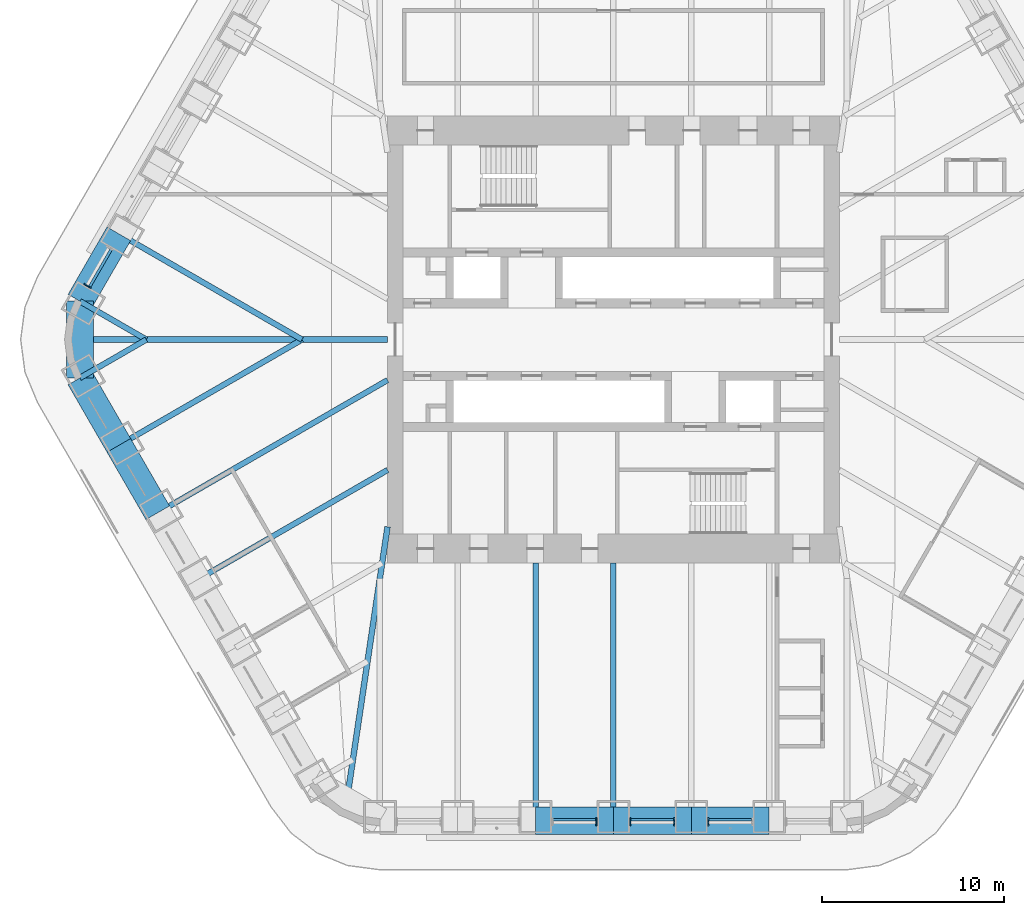
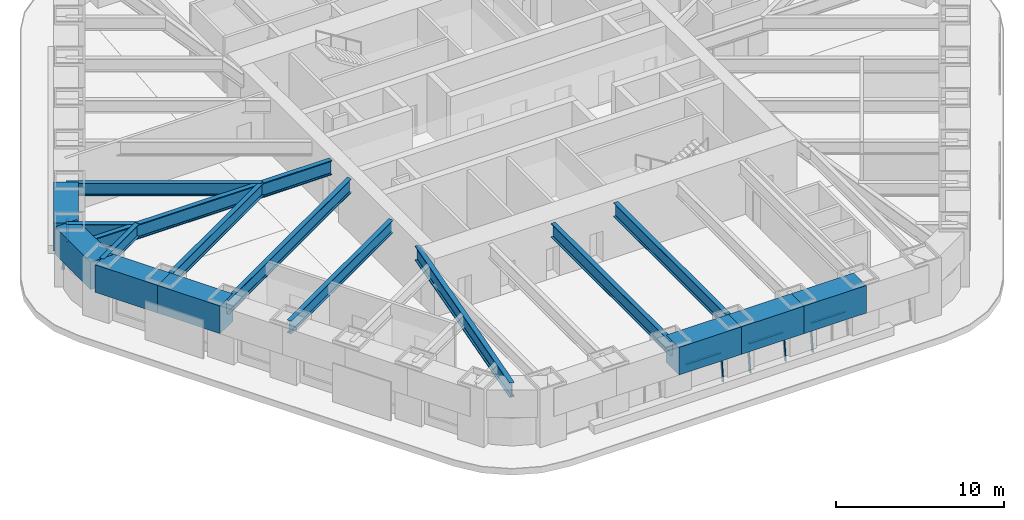
# One storey, part 3 of 18: 17 beams, 9 members, 4 elements without a shape of their own.
"""IFC4 building model written with IfcOpenShell, lengths in metres."""

from ifc_helpers import new_model, si_unit, direction, frame, origin, origin_2d, place, context, subcontext, project, spatial, rectangle, i_section, extrude, material, material_profile, profile_set, type_object, element, aggregate, save


model = new_model("IFC4")

# Units and contexts
model_context = context("Model", 3, precision=1e-05, world=origin(), true_north=direction((0.0, 1.0)))
body_context = subcontext(model_context, "Body", "Model", "MODEL_VIEW")
ifc_project = project(units=[si_unit("LENGTHUNIT", "METRE"), si_unit("AREAUNIT", "SQUARE_METRE"), si_unit("VOLUMEUNIT", "CUBIC_METRE"), si_unit("PLANEANGLEUNIT", "RADIAN"), si_unit("MASSUNIT", "GRAM", prefix="KILO")], contexts=[model_context])

# Site, building, storey
site_placement = place(None, origin())
site = spatial("IfcSite", under=ifc_project, at=site_placement, CompositionType="ELEMENT")
building_placement = place(site_placement, origin())
building = spatial("IfcBuilding", under=site, at=building_placement, Name="Tarfa Lantern Tower", CompositionType="ELEMENT")
storey_placement = place(building_placement, frame((0.0, 0.0, 311.5)))
storey = spatial("IfcBuildingStorey", under=building, at=storey_placement, Name="L70", CompositionType="ELEMENT", Elevation=311.5)

# Curtain wall, member
ifc_material_1 = material(Name="Aluminium framed curtain wall", Category="aluminium")
curtain_wall_type = type_object("IfcCurtainWallType", Name="CW4 CANTED GLAZING EXECUTIVE ZONE 2000", PredefinedType="USERDEFINED", material=ifc_material_1)
curtain_wall_1_placement = place(storey_placement, origin())
curtain_wall_1 = element("IfcCurtainWall", 1, at=curtain_wall_1_placement, inside=storey, type_object=curtain_wall_type, Name="CW4 NW L70", ObjectType="CURTAIN WALL", PredefinedType="USERDEFINED")
ifc_material_2 = material(Name="Aluminium mullion", Category="aluminium")
ifc_material_profile_1 = material_profile(ifc_material_2, rectangle(XDim=0.06494140625, YDim=0.199951171875, at=origin_2d()), Name="AL MULLION 65x200")
ifc_profile_set_1 = profile_set([ifc_material_profile_1], Name="Aluminium mullion")
member_type_1 = type_object("IfcMemberType", Name="CWM1 MULLION 65x200", PredefinedType="MULLION", material=ifc_profile_set_1)
member_1_placement = place(storey_placement, frame((-29.036376953125, 3.007568359375, 0.0), z_axis=(0.107439978116, -0.062017213975, 0.992275423596), x_axis=(0.499919672301, 0.866071776036, 0.0)))
member_1 = element("IfcMember", 2, at=member_1_placement, type_object=member_type_1, Name="CW4 mullion 2", PredefinedType="MULLION", context=body_context, shape_type="SweptSolid", body=[
    extrude(rectangle(XDim=0.06494140625, YDim=0.199951171875, at=origin_2d()), origin(), (0.0, 0.0, 1.0), 2.015625),
])

curtain_wall_2_placement = place(storey_placement, origin())
curtain_wall_2 = element("IfcCurtainWall", 3, at=curtain_wall_2_placement, inside=storey, type_object=curtain_wall_type, Name="CW4 S L70", ObjectType="CURTAIN WALL", PredefinedType="USERDEFINED")
member_2_placement = place(storey_placement, frame((-0.9326171875, -26.64990234375, 0.0), z_axis=(0.0, 0.124034734589, 0.992277876714), x_axis=(-1.0, 0.0, 0.0)))
member_2 = element("IfcMember", 4, at=member_2_placement, type_object=member_type_1, Name="CW4 mullion 2", PredefinedType="MULLION", context=body_context, shape_type="SweptSolid", body=[
    extrude(rectangle(XDim=0.06494140625, YDim=0.199951171875, at=origin_2d()), origin(), (0.0, 0.0, 1.0), 2.015625),
])

# Curtain wall, members
curtain_wall_3_placement = place(storey_placement, origin())
curtain_wall_3 = element("IfcCurtainWall", 5, at=curtain_wall_3_placement, inside=storey, type_object=curtain_wall_type, Name="CW4 S L70", ObjectType="CURTAIN WALL", PredefinedType="USERDEFINED")
member_3_placement = place(storey_placement, frame((0.9326171875, -26.64990234375, 0.0), z_axis=(0.0, 0.124034734589, 0.992277876714), x_axis=(-1.0, 0.0, 0.0)))
member_3 = element("IfcMember", 6, at=member_3_placement, type_object=member_type_1, Name="CW4 mullion 1", PredefinedType="MULLION", context=body_context, shape_type="SweptSolid", body=[
    extrude(rectangle(XDim=0.06494140625, YDim=0.199951171875, at=origin_2d()), origin(), (0.0, 0.0, 1.0), 2.015625),
])
member_4_placement = place(storey_placement, frame((3.349609375, -26.64990234375, 0.0), z_axis=(0.0, 0.124034734589, 0.992277876714), x_axis=(-1.0, 0.0, 0.0)))
member_4 = element("IfcMember", 7, at=member_4_placement, type_object=member_type_1, Name="CW4 mullion 2", PredefinedType="MULLION", context=body_context, shape_type="SweptSolid", body=[
    extrude(rectangle(XDim=0.06494140625, YDim=0.199951171875, at=origin_2d()), origin(), (0.0, 0.0, 1.0), 2.015625),
])

# Curtain wall, member
curtain_wall_4_placement = place(storey_placement, origin())
curtain_wall_4 = element("IfcCurtainWall", 8, at=curtain_wall_4_placement, inside=storey, type_object=curtain_wall_type, Name="CW4 S L70", ObjectType="CURTAIN WALL", PredefinedType="USERDEFINED")
member_5_placement = place(storey_placement, frame((5.214599609375, -26.64990234375, 0.0), z_axis=(0.0, 0.124034734589, 0.992277876714), x_axis=(-1.0, 0.0, 0.0)))
member_5 = element("IfcMember", 9, at=member_5_placement, type_object=member_type_1, Name="CW4 mullion 1", PredefinedType="MULLION", context=body_context, shape_type="SweptSolid", body=[
    extrude(rectangle(XDim=0.06494140625, YDim=0.199951171875, at=origin_2d()), origin(), (0.0, 0.0, 1.0), 2.015625),
])

# Member
ifc_material_3 = material(Name="Aluminium transom", Category="aluminium")
ifc_material_profile_2 = material_profile(ifc_material_3, rectangle(XDim=0.14990234375, YDim=0.06494140625, at=origin_2d()), Name="AL TRANSOM 150x65")
ifc_profile_set_2 = profile_set([ifc_material_profile_2], Name="Aluminium transom")
member_type_2 = type_object("IfcMemberType", Name="CWT1 TRANSOM 150x65", PredefinedType="USERDEFINED", material=ifc_profile_set_2)
member_6_placement = place(storey_placement, frame((-27.631103515625, 4.94970703125, 1.967529296875), z_axis=(-0.500012978079, -0.866017910757, 0.0), x_axis=(0.866017910757, -0.500012978079, 0.0)))
member_6 = element("IfcMember", 10, at=member_6_placement, type_object=member_type_2, Name="CW4 transom 1.2", ObjectType="TRANSOM", PredefinedType="USERDEFINED", context=body_context, shape_type="SweptSolid", body=[
    extrude(rectangle(XDim=0.14990234375, YDim=0.06494140625, at=origin_2d()), origin(), (0.0, 0.0, 1.0), 2.35205078125),
])

aggregate(curtain_wall_1, [member_1, member_6])

member_7_placement = place(storey_placement, frame((-3.31689453125, -26.404052734375, 1.967529296875), z_axis=(1.0, 0.0, 0.0), x_axis=(0.0, 1.0, 0.0)))
member_7 = element("IfcMember", 11, at=member_7_placement, type_object=member_type_2, Name="CW4 transom 1.2", ObjectType="TRANSOM", PredefinedType="USERDEFINED", context=body_context, shape_type="SweptSolid", body=[
    extrude(rectangle(XDim=0.14990234375, YDim=0.06494140625, at=origin_2d()), origin(), (0.0, 0.0, 1.0), 2.351806640625),
])

aggregate(curtain_wall_2, [member_2, member_7])

member_8_placement = place(storey_placement, frame((0.965087890625, -26.404052734375, 1.967529296875), z_axis=(1.0, 0.0, 0.0), x_axis=(0.0, 1.0, 0.0)))
member_8 = element("IfcMember", 12, at=member_8_placement, type_object=member_type_2, Name="CW4 transom 1.2", ObjectType="TRANSOM", PredefinedType="USERDEFINED", context=body_context, shape_type="SweptSolid", body=[
    extrude(rectangle(XDim=0.14990234375, YDim=0.06494140625, at=origin_2d()), origin(), (0.0, 0.0, 1.0), 2.351806640625),
])

aggregate(curtain_wall_3, [member_3, member_4, member_8])

member_9_placement = place(storey_placement, frame((5.2470703125, -26.404052734375, 1.967529296875), z_axis=(1.0, 0.0, 0.0), x_axis=(0.0, 1.0, 0.0)))
member_9 = element("IfcMember", 13, at=member_9_placement, type_object=member_type_2, Name="CW4 transom 1.2", ObjectType="TRANSOM", PredefinedType="USERDEFINED", context=body_context, shape_type="SweptSolid", body=[
    extrude(rectangle(XDim=0.14990234375, YDim=0.06494140625, at=origin_2d()), origin(), (0.0, 0.0, 1.0), 2.35205078125),
])

aggregate(curtain_wall_4, [member_5, member_9])

# Beams
ifc_material_4 = material(Name="Concrete C80/95", Category="concrete")
ifc_material_profile_3 = material_profile(ifc_material_4, rectangle(XDim=1.5, YDim=2.0, at=origin_2d()), Name="RC 1500x2000")
ifc_profile_set_3 = profile_set([ifc_material_profile_3], Name="Concrete C80/95")
beam_type_1 = type_object("IfcBeamType", Name="RB3 RC 1500x2000", PredefinedType="BEAM", material=ifc_profile_set_3)
beam_1_placement = place(storey_placement, frame((-27.205810546875, 5.818359375, 3.0), z_axis=(-0.499984039138, -0.866034618596, 0.0), x_axis=(0.866034618596, -0.499984039138, 0.0)))
element("IfcBeam", 14, at=beam_1_placement, inside=storey, type_object=beam_type_1, Name="Edge beam NW5", PredefinedType="BEAM", context=body_context, shape_type="SweptSolid", body=[
    extrude(rectangle(XDim=1.5, YDim=2.0, at=origin_2d()), origin(), (0.0, 0.0, 1.0), 4.281982421875),
])
beam_2_placement = place(storey_placement, frame((-29.3466796875, 2.110107421875, 3.0), z_axis=(0.0, -1.0, 0.0), x_axis=(1.0, 0.0, 0.0)))
element("IfcBeam", 15, at=beam_2_placement, inside=storey, type_object=beam_type_1, Name="Edge beam NW6", PredefinedType="BEAM", context=body_context, shape_type="SweptSolid", body=[
    extrude(rectangle(XDim=1.5, YDim=2.0, at=origin_2d()), origin(), (0.0, 0.0, 1.0), 4.22021484375),
])
for number, where, z_axis, x_axis, name in (
    (16, (-29.3466796875, -2.110107421875, 3.0), (0.499984039138, -0.866034618596, 0.0), (0.866034618596, 0.499984039138, 0.0), "Edge beam SW0"),
    (17, (-27.205810546875, -5.818359375, 3.0), (0.500026801138, -0.866009929587, 0.0), (0.866009929587, 0.500026801138, 0.0), "Edge beam SW1"),
    (18, (-4.281982421875, -26.469970703125, 3.0), (1.0, 0.0, 0.0), (0.0, 1.0, 0.0), "Edge beam S2"),
    (19, (0.0, -26.469970703125, 3.0), (1.0, 0.0, 0.0), (0.0, 1.0, 0.0), "Edge beam S3"),
    (20, (4.281982421875, -26.469970703125, 3.0), (1.0, 0.0, 0.0), (0.0, 1.0, 0.0), "Edge beam S4"),
):
    element("IfcBeam", number, at=place(storey_placement, frame(where, z_axis=z_axis, x_axis=x_axis)), inside=storey, type_object=beam_type_1, Name=name, PredefinedType="BEAM", context=body_context, shape_type="SweptSolid", body=[
        extrude(rectangle(XDim=1.5, YDim=2.0, at=origin_2d()), origin(), (0.0, 0.0, 1.0), 4.281982421875),
    ])
ifc_material_5 = material(Name="Steel S460M", Category="steel")
ifc_material_profile_4 = material_profile(ifc_material_5, i_section(OverallWidth=0.302001953125, OverallDepth=1.008056640625, WebThickness=0.02099609375, FlangeThickness=0.0400390625, FilletRadius=0.030029296875, at=origin_2d()), Name="UB1016x305x349")
ifc_profile_set_4 = profile_set([ifc_material_profile_4], Name="Steel S460M")
beam_type_2 = type_object("IfcBeamType", Name="UB1016x305x349", PredefinedType="BEAM", material=ifc_profile_set_4)
beam_3_placement = place(storey_placement, frame((-25.064697265625, -9.526611328125, 3.495849609375), z_axis=(0.866029591389, 0.499992746786, 0.0), x_axis=(-0.499992746786, 0.866029591389, 0.0)))
element("IfcBeam", 21, at=beam_3_placement, inside=storey, type_object=beam_type_2, Name="Floor beam SW2", PredefinedType="BEAM", context=body_context, shape_type="SweptSolid", body=[
    extrude(i_section(OverallWidth=0.302001953125, OverallDepth=1.008056640625, WebThickness=0.02099609375, FlangeThickness=0.0400390625, FilletRadius=0.030029296875, at=origin_2d()), origin(), (0.0, 0.0, 1.0), 14.594970703125),
])
for number, where, z_axis, x_axis, name in (
    (22, (-4.281982421875, -26.469970703125, 3.495849609375), (0.0, 1.0, 0.0), (-1.0, 0.0, 0.0), "Floor beam S2"),
    (23, (0.0, -26.469970703125, 3.495849609375), (0.0, 1.0, 0.0), (-1.0, 0.0, 0.0), "Floor beam S3"),
):
    element("IfcBeam", number, at=place(storey_placement, frame(where, z_axis=z_axis, x_axis=x_axis)), inside=storey, type_object=beam_type_2, Name=name, PredefinedType="BEAM", context=body_context, shape_type="SweptSolid", body=[
        extrude(i_section(OverallWidth=0.302001953125, OverallDepth=1.008056640625, WebThickness=0.02099609375, FlangeThickness=0.0400390625, FilletRadius=0.030029296875, at=origin_2d()), origin(), (0.0, 0.0, 1.0), 14.169921875),
    ])
ifc_material_profile_5 = material_profile(ifc_material_5, i_section(OverallWidth=0.314208984375, OverallDepth=1.055908203125, WebThickness=0.035888671875, FlangeThickness=0.06396484375, FilletRadius=0.030029296875, at=origin_2d()), Name="UB1016x305x584")
ifc_profile_set_5 = profile_set([ifc_material_profile_5], Name="Steel S460M")
beam_type_3 = type_object("IfcBeamType", Name="UB1016x305x584", PredefinedType="BEAM", material=ifc_profile_set_5)
beam_4_placement = place(storey_placement, frame((-12.425048828125, 0.0, 3.471923828125), z_axis=(-1.0, 0.0, 0.0), x_axis=(0.0, -1.0, 0.0)))
element("IfcBeam", 24, at=beam_4_placement, inside=storey, type_object=beam_type_3, Name="Hip girder W", PredefinedType="BEAM", context=body_context, shape_type="SweptSolid", body=[
    extrude(i_section(OverallWidth=0.314208984375, OverallDepth=1.055908203125, WebThickness=0.035888671875, FlangeThickness=0.06396484375, FilletRadius=0.030029296875, at=origin_2d()), origin(), (0.0, 0.0, 1.0), 16.921630859375),
])
beam_5_placement = place(storey_placement, frame((-12.425048828125, -10.300048828125, 3.471923828125), z_axis=(-0.147127069073, -0.989117599452, 0.0), x_axis=(0.989117599452, -0.147127069073, 0.0)))
element("IfcBeam", 25, at=beam_5_placement, inside=storey, type_object=beam_type_3, Name="Hip girder SW", PredefinedType="BEAM", context=body_context, shape_type="SweptSolid", body=[
    extrude(i_section(OverallWidth=0.314208984375, OverallDepth=1.055908203125, WebThickness=0.035888671875, FlangeThickness=0.06396484375, FilletRadius=0.030029296875, at=origin_2d()), origin(), (0.0, 0.0, 1.0), 15.28125),
])
ifc_material_profile_6 = material_profile(ifc_material_5, i_section(OverallWidth=0.305419921875, OverallDepth=0.91845703125, WebThickness=0.017333984375, FlangeThickness=0.02783203125, FilletRadius=0.01904296875, at=origin_2d()), Name="UB914x305x253")
ifc_profile_set_6 = profile_set([ifc_material_profile_6], Name="Steel S460M")
beam_type_4 = type_object("IfcBeamType", Name="UB914x305x253", PredefinedType="BEAM", material=ifc_profile_set_6)
beam_6_placement = place(storey_placement, frame((-27.205810546875, 5.818359375, 3.540771484375), z_axis=(0.866024171998, -0.500002133511, 0.0), x_axis=(0.500002133511, 0.866024171998, 0.0)))
element("IfcBeam", 26, at=beam_6_placement, inside=storey, type_object=beam_type_4, Name="Floor beam NW5", PredefinedType="BEAM", context=body_context, shape_type="SweptSolid", body=[
    extrude(i_section(OverallWidth=0.305419921875, OverallDepth=0.91845703125, WebThickness=0.017333984375, FlangeThickness=0.02783203125, FilletRadius=0.01904296875, at=origin_2d()), origin(), (0.0, 0.0, 1.0), 11.63671875),
])
for number, where, z_axis, x_axis, name in (
    (27, (-29.3466796875, 2.110107421875, 3.540771484375), (0.866009274789, -0.500027935199, 0.0), (0.500027935199, 0.866009274789, 0.0), "Floor beam NW6"),
    (28, (-29.3466796875, -2.110107421875, 3.540771484375), (0.866009274789, 0.500027935199, 0.0), (-0.500027935199, 0.866009274789, 0.0), "Floor beam SW0"),
):
    element("IfcBeam", number, at=place(storey_placement, frame(where, z_axis=z_axis, x_axis=x_axis)), inside=storey, type_object=beam_type_4, Name=name, PredefinedType="BEAM", context=body_context, shape_type="SweptSolid", body=[
        extrude(i_section(OverallWidth=0.305419921875, OverallDepth=0.91845703125, WebThickness=0.017333984375, FlangeThickness=0.02783203125, FilletRadius=0.01904296875, at=origin_2d()), origin(), (0.0, 0.0, 1.0), 4.219970703125),
    ])
beam_7_placement = place(storey_placement, frame((-27.205810546875, -5.818359375, 3.540771484375), z_axis=(0.866024171998, 0.500002133511, 0.0), x_axis=(-0.500002133511, 0.866024171998, 0.0)))
element("IfcBeam", 29, at=beam_7_placement, inside=storey, type_object=beam_type_4, Name="Floor beam SW1", PredefinedType="BEAM", context=body_context, shape_type="SweptSolid", body=[
    extrude(i_section(OverallWidth=0.305419921875, OverallDepth=0.91845703125, WebThickness=0.017333984375, FlangeThickness=0.02783203125, FilletRadius=0.01904296875, at=origin_2d()), origin(), (0.0, 0.0, 1.0), 11.63671875),
])
beam_8_placement = place(storey_placement, frame((-22.923583984375, -13.235107421875, 3.540771484375), z_axis=(0.86601856927, 0.500011837539, 0.0), x_axis=(-0.500011837539, 0.86601856927, 0.0)))
element("IfcBeam", 30, at=beam_8_placement, inside=storey, type_object=beam_type_4, Name="Floor beam SW3", PredefinedType="BEAM", context=body_context, shape_type="SweptSolid", body=[
    extrude(i_section(OverallWidth=0.305419921875, OverallDepth=0.91845703125, WebThickness=0.017333984375, FlangeThickness=0.02783203125, FilletRadius=0.01904296875, at=origin_2d()), origin(), (0.0, 0.0, 1.0), 12.122802734375),
])

save(model, "model.ifc")
